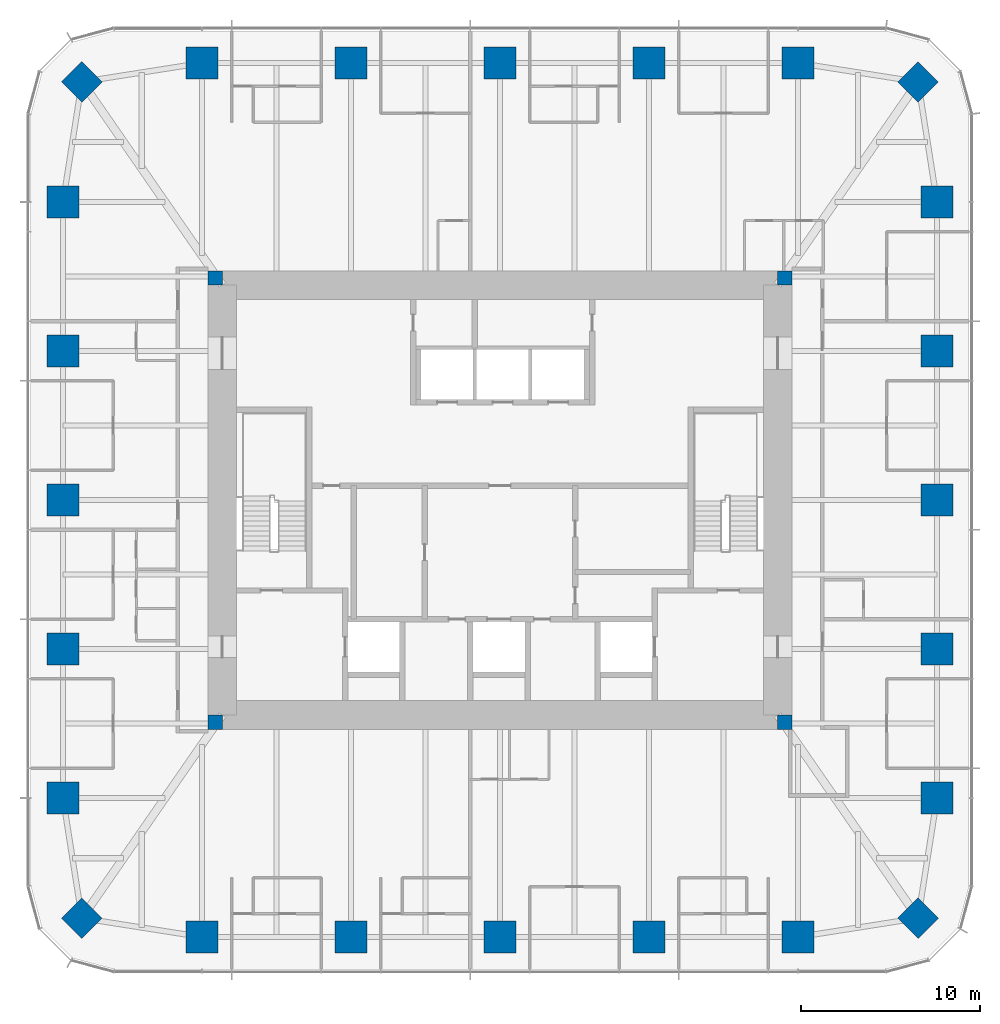
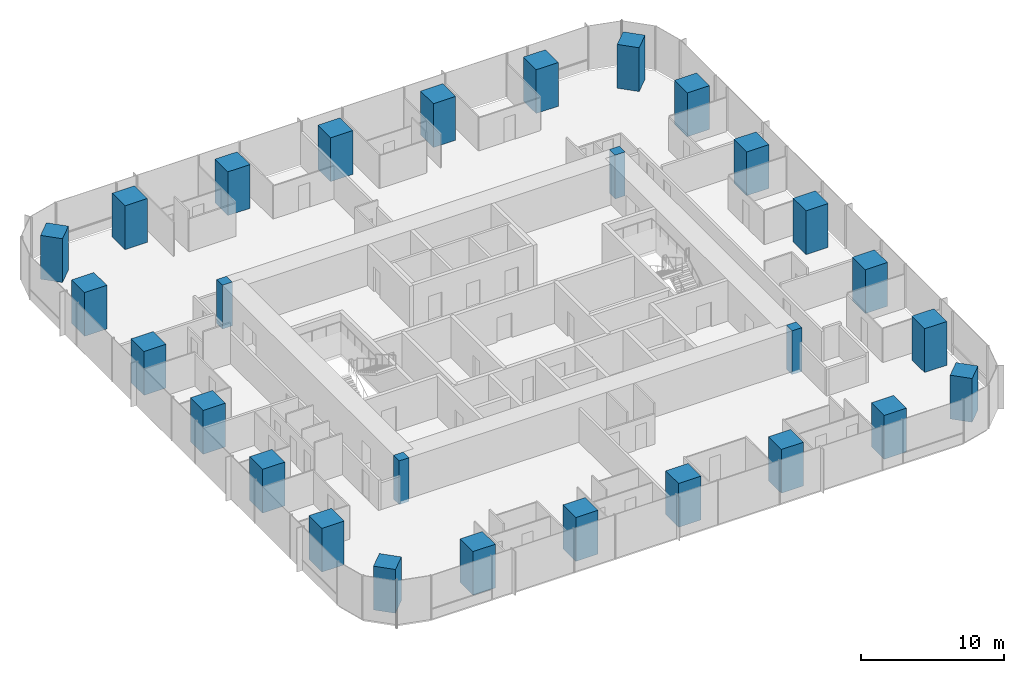
# One storey, part 1 of 12: 28 columns.
"""IFC4 building model written with IfcOpenShell, lengths in metres."""

from ifc_helpers import new_model, si_unit, direction, frame, origin, origin_2d, place, context, subcontext, project, spatial, rectangle, extrude, material, material_profile, profile_set, type_object, element, save


model = new_model("IFC4")

# Units and contexts
model_context = context("Model", 3, precision=1e-05, world=origin(), true_north=direction((0.0, 1.0)))
body_context = subcontext(model_context, "Body", "Model", "MODEL_VIEW")
ifc_project = project(units=[si_unit("LENGTHUNIT", "METRE"), si_unit("AREAUNIT", "SQUARE_METRE"), si_unit("VOLUMEUNIT", "CUBIC_METRE"), si_unit("PLANEANGLEUNIT", "RADIAN"), si_unit("MASSUNIT", "GRAM", prefix="KILO")], contexts=[model_context])

# Site, building, storey
site_placement = place(None, origin())
site = spatial("IfcSite", under=ifc_project, at=site_placement, CompositionType="ELEMENT")
building_placement = place(site_placement, origin())
building = spatial("IfcBuilding", under=site, at=building_placement, Name="Khuree Lantern Residences", CompositionType="ELEMENT")
storey_placement = place(building_placement, frame((0.0, 0.0, 222.0)))
storey = spatial("IfcBuildingStorey", under=building, at=storey_placement, Name="L55", CompositionType="ELEMENT", Elevation=222.0)

# Columns
ifc_material_1 = material(Name="Concrete C70/85", Category="concrete")
ifc_material_profile_1 = material_profile(ifc_material_1, rectangle(XDim=1.60009765625, YDim=1.60009765625, at=origin_2d()), Name="RC 1600X1600")
ifc_profile_set_1 = profile_set([ifc_material_profile_1], Name="Concrete C70/85")
column_type_1 = type_object("IfcColumnType", Name="CC1600A PERIMETER CORNER COLUMN RC 1600X1600", PredefinedType="COLUMN", material=ifc_profile_set_1)
for number, where, z_axis, x_axis, name in (
    (1, (23.345703125, 23.345703125, 0.0), (0.0, 0.0, 1.0), (0.707106781187, -0.707106781187, 0.0), "Perimeter column NE"),
    (2, (23.345703125, -23.345703125, 0.0), (0.0, 0.0, 1.0), (0.707106781187, 0.707106781187, 0.0), "Perimeter column SE"),
    (3, (-23.345703125, -23.345703125, 0.0), (0.0, 0.0, 1.0), (0.707106781187, -0.707106781187, 0.0), "Perimeter column SW"),
    (4, (-23.345703125, 23.345703125, 0.0), (0.0, 0.0, 1.0), (0.707106781187, 0.707106781187, 0.0), "Perimeter column NW"),
):
    element("IfcColumn", number, at=place(storey_placement, frame(where, z_axis=z_axis, x_axis=x_axis)), inside=storey, type_object=column_type_1, Name=name, PredefinedType="COLUMN", context=body_context, shape_type="SweptSolid", body=[
        extrude(rectangle(XDim=1.60009765625, YDim=1.60009765625, at=origin_2d()), origin(), (0.0, 0.0, 1.0), 3.75),
    ])
ifc_material_2 = material(Name="Concrete C50/60", Category="concrete")
ifc_material_profile_2 = material_profile(ifc_material_2, rectangle(XDim=0.800048828125, YDim=0.800048828125, at=origin_2d()), Name="RC 800X800")
ifc_profile_set_2 = profile_set([ifc_material_profile_2], Name="Concrete C50/60")
column_type_2 = type_object("IfcColumnType", Name="CP800-C50 CORE CORNER PIER C50 RC 800X800", PredefinedType="COLUMN", material=ifc_profile_set_2)
for number, where, z_axis, x_axis, name in (
    (5, (15.89990234375, 12.39990234375, -0.25), (0.0, 0.0, 1.0), (1.0, 0.0, 0.0), "Core corner pier NE"),
    (6, (-15.89990234375, 12.39990234375, -0.25), (0.0, 0.0, 1.0), (1.0, 0.0, 0.0), "Core corner pier NW"),
    (7, (-15.89990234375, -12.39990234375, -0.25), (0.0, 0.0, 1.0), (1.0, 0.0, 0.0), "Core corner pier SW"),
    (8, (15.89990234375, -12.39990234375, -0.25), (0.0, 0.0, 1.0), (1.0, 0.0, 0.0), "Core corner pier SE"),
):
    element("IfcColumn", number, at=place(storey_placement, frame(where, z_axis=z_axis, x_axis=x_axis)), inside=storey, type_object=column_type_2, Name=name, PredefinedType="COLUMN", context=body_context, shape_type="SweptSolid", body=[
        extrude(rectangle(XDim=0.800048828125, YDim=0.800048828125, at=origin_2d()), origin(), (0.0, 0.0, 1.0), 3.75),
    ])
ifc_material_profile_3 = material_profile(ifc_material_1, rectangle(XDim=1.800048828125, YDim=1.800048828125, at=origin_2d()), Name="RC 1800X1800")
ifc_profile_set_3 = profile_set([ifc_material_profile_3], Name="Concrete C70/85")
column_type_3 = type_object("IfcColumnType", Name="PC4 PERIMETER COLUMN RC 1800X1800", PredefinedType="COLUMN", material=ifc_profile_set_3)
for number, where, z_axis, x_axis, name in (
    (9, (-16.639892578125, 24.39990234375, 0.0), (0.0, 0.0, 1.0), (1.0, 0.0, 0.0), "Perimeter column N1"),
    (10, (-8.320068359375, 24.39990234375, 0.0), (0.0, 0.0, 1.0), (1.0, 0.0, 0.0), "Perimeter column N2"),
    (11, (0.0, 24.39990234375, 0.0), (0.0, 0.0, 1.0), (1.0, 0.0, 0.0), "Perimeter column N3"),
    (12, (8.320068359375, 24.39990234375, 0.0), (0.0, 0.0, 1.0), (1.0, 0.0, 0.0), "Perimeter column N4"),
    (13, (16.639892578125, 24.39990234375, 0.0), (0.0, 0.0, 1.0), (1.0, 0.0, 0.0), "Perimeter column N5"),
    (14, (24.39990234375, 16.639892578125, 0.0), (0.0, 0.0, 1.0), (0.0, 1.0, 0.0), "Perimeter column E1"),
    (15, (24.39990234375, 8.320068359375, 0.0), (0.0, 0.0, 1.0), (0.0, 1.0, 0.0), "Perimeter column E2"),
    (16, (24.39990234375, 0.0, 0.0), (0.0, 0.0, 1.0), (0.0, 1.0, 0.0), "Perimeter column E3"),
    (17, (24.39990234375, -8.320068359375, 0.0), (0.0, 0.0, 1.0), (0.0, 1.0, 0.0), "Perimeter column E4"),
    (18, (24.39990234375, -16.639892578125, 0.0), (0.0, 0.0, 1.0), (0.0, 1.0, 0.0), "Perimeter column E5"),
    (19, (16.639892578125, -24.39990234375, 0.0), (0.0, 0.0, 1.0), (1.0, 0.0, 0.0), "Perimeter column S1"),
    (20, (8.320068359375, -24.39990234375, 0.0), (0.0, 0.0, 1.0), (1.0, 0.0, 0.0), "Perimeter column S2"),
    (21, (0.0, -24.39990234375, 0.0), (0.0, 0.0, 1.0), (1.0, 0.0, 0.0), "Perimeter column S3"),
    (22, (-8.320068359375, -24.39990234375, 0.0), (0.0, 0.0, 1.0), (1.0, 0.0, 0.0), "Perimeter column S4"),
    (23, (-16.639892578125, -24.39990234375, 0.0), (0.0, 0.0, 1.0), (1.0, 0.0, 0.0), "Perimeter column S5"),
    (24, (-24.39990234375, -16.639892578125, 0.0), (0.0, 0.0, 1.0), (0.0, 1.0, 0.0), "Perimeter column W1"),
    (25, (-24.39990234375, -8.320068359375, 0.0), (0.0, 0.0, 1.0), (0.0, 1.0, 0.0), "Perimeter column W2"),
    (26, (-24.39990234375, 0.0, 0.0), (0.0, 0.0, 1.0), (0.0, 1.0, 0.0), "Perimeter column W3"),
    (27, (-24.39990234375, 8.320068359375, 0.0), (0.0, 0.0, 1.0), (0.0, 1.0, 0.0), "Perimeter column W4"),
    (28, (-24.39990234375, 16.639892578125, 0.0), (0.0, 0.0, 1.0), (0.0, 1.0, 0.0), "Perimeter column W5"),
):
    element("IfcColumn", number, at=place(storey_placement, frame(where, z_axis=z_axis, x_axis=x_axis)), inside=storey, type_object=column_type_3, Name=name, PredefinedType="COLUMN", context=body_context, shape_type="SweptSolid", body=[
        extrude(rectangle(XDim=1.800048828125, YDim=1.800048828125, at=origin_2d()), origin(), (0.0, 0.0, 1.0), 3.75),
    ])

save(model, "model.ifc")
